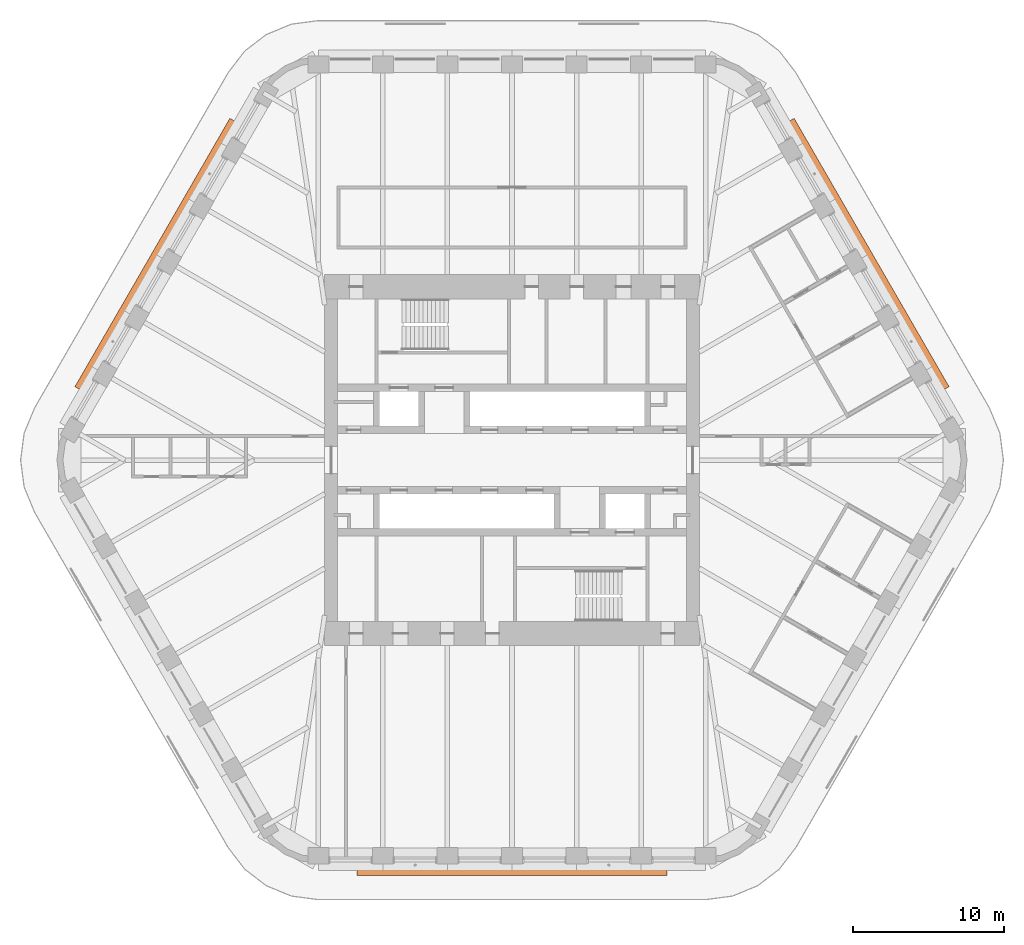
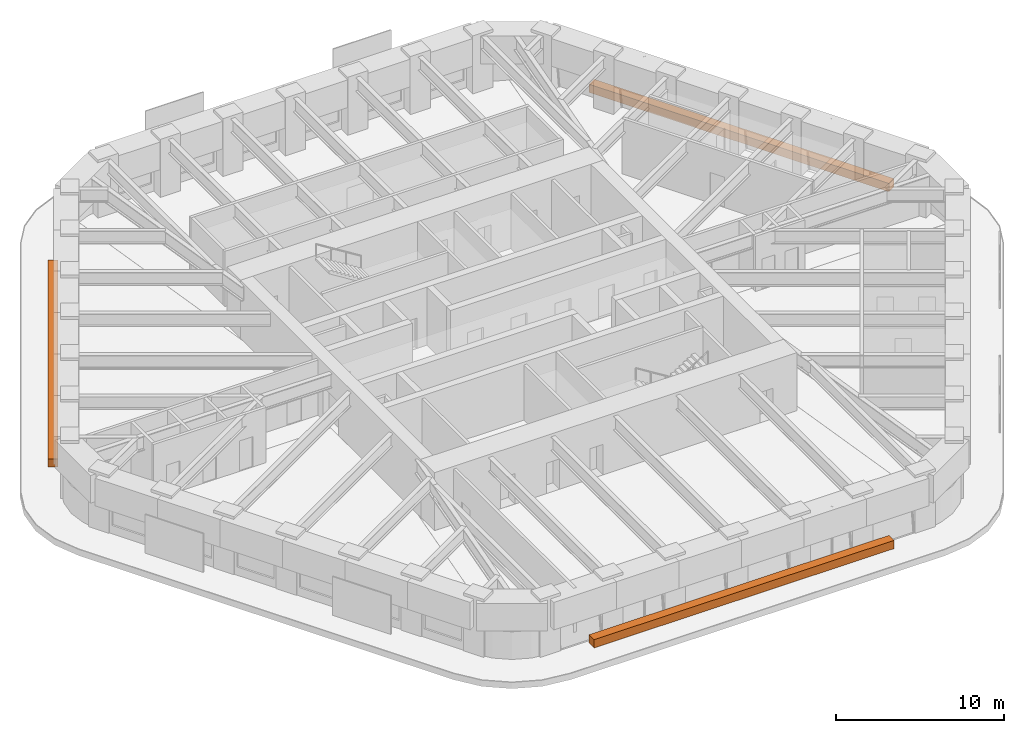
# One storey, part 18 of 18: 3 proxies.
"""IFC4 building model written with IfcOpenShell, lengths in metres."""

from ifc_helpers import new_model, si_unit, direction, frame, origin, origin_2d, place, context, subcontext, project, spatial, rectangle, extrude, material, element, save


model = new_model("IFC4")

# Units and contexts
model_context = context("Model", 3, precision=1e-05, world=origin(), true_north=direction((0.0, 1.0)))
body_context = subcontext(model_context, "Body", "Model", "MODEL_VIEW")
ifc_project = project(units=[si_unit("LENGTHUNIT", "METRE"), si_unit("AREAUNIT", "SQUARE_METRE"), si_unit("VOLUMEUNIT", "CUBIC_METRE"), si_unit("PLANEANGLEUNIT", "RADIAN"), si_unit("MASSUNIT", "GRAM", prefix="KILO")], contexts=[model_context])

# Site, building, storey
site_placement = place(None, origin())
site = spatial("IfcSite", under=ifc_project, at=site_placement, CompositionType="ELEMENT")
building_placement = place(site_placement, origin())
building = spatial("IfcBuilding", under=site, at=building_placement, Name="Tarfa Lantern Tower", CompositionType="ELEMENT")
storey_placement = place(building_placement, frame((0.0, 0.0, 324.10009765625)))
storey = spatial("IfcBuildingStorey", under=building, at=storey_placement, Name="L73", CompositionType="ELEMENT", Elevation=324.10009765625)

# Proxies
ifc_material = material(Name="Planting bed")
for number, where, z_axis, x_axis, name in (
    (1, (23.59912109375, 13.625, -0.000244140625), (0.0, 0.0, 1.0), (-0.5, 0.866025403784, 0.0), "Ledge planter"),
    (2, (-23.59912109375, 13.625, -0.000244140625), (0.0, 0.0, 1.0), (-0.5, -0.866025403784, 0.0), "Ledge planter"),
    (3, (0.0, -27.25, -0.000244140625), (0.0, 0.0, 1.0), (1.0, 0.0, 0.0), "Ledge planter"),
):
    element("IfcBuildingElementProxy", number, at=place(storey_placement, frame(where, z_axis=z_axis, x_axis=x_axis)), inside=storey, material=ifc_material, Name=name, ObjectType="PLANTER", PredefinedType="USERDEFINED", context=body_context, shape_type="SweptSolid", body=[
        extrude(rectangle(XDim=20.5537109375, YDim=0.60009765625, at=origin_2d()), origin(), (0.0, 0.0, 1.0), 0.60009765625),
    ])

save(model, "model.ifc")
